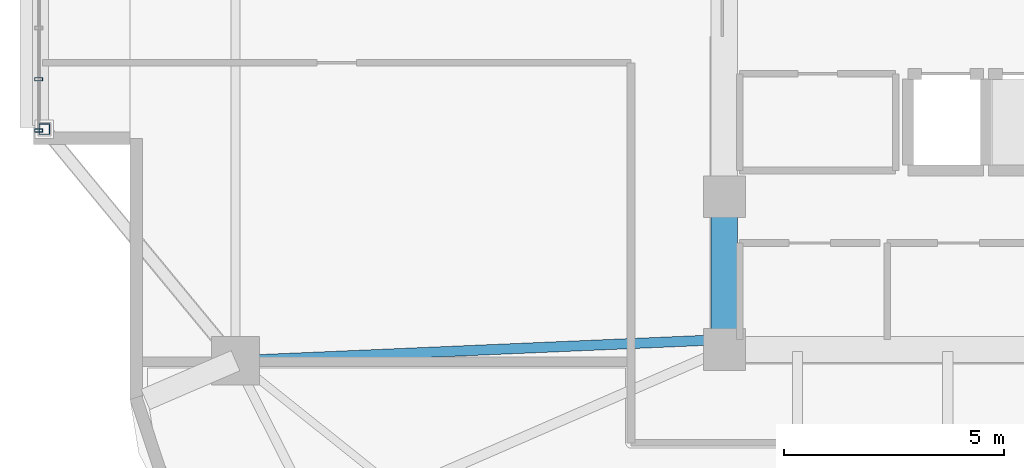
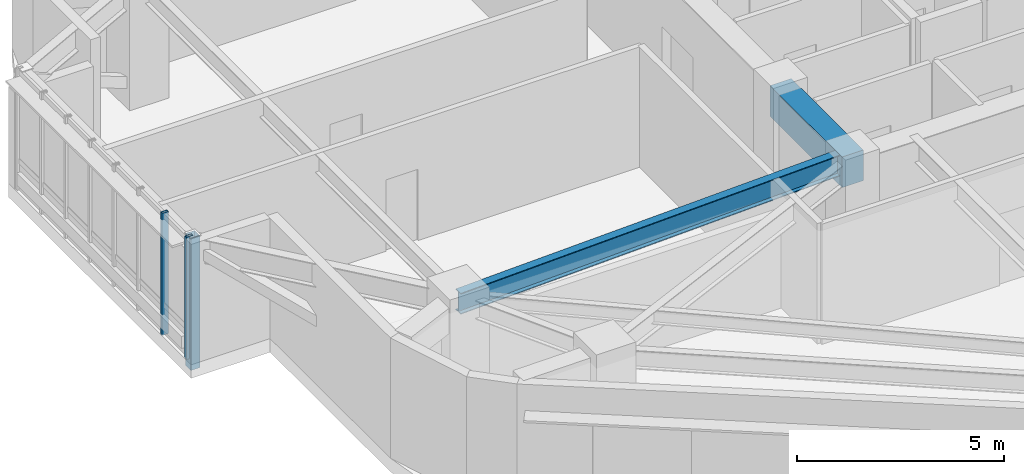
# One storey, part 2 of 16: 3 members, 2 beams, 1 element without a shape of its own.
"""IFC4 building model written with IfcOpenShell, lengths in metres."""

from ifc_helpers import new_model, si_unit, direction, frame, origin, origin_2d, place, context, subcontext, project, spatial, rectangle, hollow_rectangle, i_section, extrude, material, material_profile, profile_set, type_object, element, aggregate, save


model = new_model("IFC4")

# Units and contexts
model_context = context("Model", 3, precision=1e-05, world=origin(), true_north=direction((0.0, 1.0)))
body_context = subcontext(model_context, "Body", "Model", "MODEL_VIEW")
ifc_project = project(units=[si_unit("LENGTHUNIT", "METRE"), si_unit("AREAUNIT", "SQUARE_METRE"), si_unit("VOLUMEUNIT", "CUBIC_METRE"), si_unit("PLANEANGLEUNIT", "RADIAN"), si_unit("MASSUNIT", "GRAM", prefix="KILO")], contexts=[model_context])

# Site, building, storey
site_placement = place(None, origin())
site = spatial("IfcSite", under=ifc_project, at=site_placement, CompositionType="ELEMENT")
building_placement = place(site_placement, origin())
building = spatial("IfcBuilding", under=site, at=building_placement, Name="Zulverin Broadcast Headquarters", CompositionType="ELEMENT")
storey_placement = place(building_placement, frame((0.0, 0.0, 125.0)))
storey = spatial("IfcBuildingStorey", under=building, at=storey_placement, Name="L31", CompositionType="ELEMENT", Elevation=125.0)

# Beams
ifc_material_1 = material(Name="Concrete C60/75", Category="concrete")
ifc_material_profile_1 = material_profile(ifc_material_1, rectangle(XDim=0.60009765625, YDim=0.89990234375, at=origin_2d()), Name="Concrete C60/75", Category="concrete")
ifc_profile_set_1 = profile_set([ifc_material_profile_1], Name="Concrete C60/75")
beam_type_1 = type_object("IfcBeamType", Name="BM-CB-600x900", PredefinedType="LINTEL", material=ifc_profile_set_1)
beam_1_placement = place(storey_placement, frame((25.72509765625, 20.800048828125, 3.090087890625), z_axis=(0.0, -1.0, 0.0), x_axis=(1.0, 0.0, 0.0)))
element("IfcBeam", 1, at=beam_1_placement, inside=storey, type_object=beam_type_1, Name="L31 Core Coupling Girder K08-K01", PredefinedType="LINTEL", context=body_context, shape_type="SweptSolid", body=[
    extrude(rectangle(XDim=0.60009765625, YDim=0.89990234375, at=origin_2d()), origin(), (0.0, 0.0, 1.0), 3.47509765625),
])
ifc_material_2 = material(Name="Structural steel S355JR", Category="steel")
ifc_material_profile_2 = material_profile(ifc_material_2, i_section(OverallWidth=0.230224609375, OverallDepth=0.6171875, WebThickness=0.01318359375, FlangeThickness=0.022216796875, at=origin_2d()), Name="Structural steel S355JR", Category="steel")
ifc_profile_set_2 = profile_set([ifc_material_profile_2], Name="Structural steel S355JR")
beam_type_2 = type_object("IfcBeamType", Name="BM-UB-610", PredefinedType="BEAM", material=ifc_profile_set_2)
beam_2_placement = place(storey_placement, frame((25.675048828125, 17.550048828125, 3.2314453125), z_axis=(-0.999069780306, -0.043122779134, 0.0), x_axis=(0.043122779134, -0.999069780306, 0.0)))
element("IfcBeam", 2, at=beam_2_placement, inside=storey, type_object=beam_type_2, Name="L31 Radial Primary Floor Beam RB-14", PredefinedType="BEAM", context=body_context, shape_type="SweptSolid", body=[
    extrude(i_section(OverallWidth=0.230224609375, OverallDepth=0.6171875, WebThickness=0.01318359375, FlangeThickness=0.022216796875, at=origin_2d()), origin(), (0.0, 0.0, 1.0), 11.085205078125),
])

# Curtain wall, members
ifc_material_3 = material(Name="Acoustic triple-glazed studio box curtain wall", Category="aluminium")
curtain_wall_type = type_object("IfcCurtainWallType", Name="CW-SBOX", PredefinedType="USERDEFINED", material=ifc_material_3)
curtain_wall_placement = place(storey_placement, origin())
curtain_wall = element("IfcCurtainWall", 3, at=curtain_wall_placement, inside=storey, type_object=curtain_wall_type, Name="L31 Unitised Curtain Wall CW-L31-SBOX_SKY1_W-F", ObjectType="UNITISED CURTAIN WALL", PredefinedType="USERDEFINED")
ifc_material_4 = material(Name="Anodized pale-metal aluminium alloy 6063-T6", Category="aluminium")
ifc_material_profile_3 = material_profile(ifc_material_4, hollow_rectangle(XDim=0.074951171875, YDim=0.179931640625, WallThickness=0.0048828125, at=origin_2d()), Name="Anodized pale-metal aluminium alloy 6063-T6", Category="aluminium")
ifc_profile_set_3 = profile_set([ifc_material_profile_3], Name="Anodized pale-metal aluminium alloy 6063-T6")
member_type_1 = type_object("IfcMemberType", Name="CW-MUL-180", PredefinedType="MULLION", material=ifc_profile_set_3)
member_1_placement = place(storey_placement, frame((10.1201171875, 23.4755859375, -0.030029296875), z_axis=(0.0, 0.0, 1.0), x_axis=(0.0, -1.0, 0.0)))
member_1 = element("IfcMember", 4, at=member_1_placement, type_object=member_type_1, Name="CW-L31-SBOX_SKY1_W-F Mullion 06", PredefinedType="MULLION", context=body_context, shape_type="SweptSolid", body=[
    extrude(hollow_rectangle(XDim=0.074951171875, YDim=0.179931640625, WallThickness=0.0048828125, at=origin_2d()), origin(), (0.0, 0.0, 1.0), 3.60009765625),
])
member_2_placement = place(storey_placement, frame((10.1201171875, 22.31005859375, -0.030029296875), z_axis=(0.0, 0.0, 1.0), x_axis=(0.0, -1.0, 0.0)))
member_2 = element("IfcMember", 5, at=member_2_placement, type_object=member_type_1, Name="CW-L31-SBOX_SKY1_W-F Mullion 07", PredefinedType="MULLION", context=body_context, shape_type="SweptSolid", body=[
    extrude(hollow_rectangle(XDim=0.074951171875, YDim=0.179931640625, WallThickness=0.0048828125, at=origin_2d()), origin(), (0.0, 0.0, 1.0), 3.60009765625),
])
aggregate(curtain_wall, [member_1, member_2])

# Member
ifc_material_profile_4 = material_profile(ifc_material_2, hollow_rectangle(XDim=0.25, YDim=0.25, WallThickness=0.01611328125, at=origin_2d()), Name="Structural steel S355JR", Category="steel")
ifc_profile_set_4 = profile_set([ifc_material_profile_4], Name="Structural steel S355JR")
member_type_2 = type_object("IfcMemberType", Name="MBR-BLT-POST", PredefinedType="POST", material=ifc_profile_set_4)
member_3_placement = place(storey_placement, frame((10.25, 22.340087890625, -0.35009765625), z_axis=(0.0, 0.0, 1.0), x_axis=(1.0, 0.0, 0.0)))
element("IfcMember", 6, at=member_3_placement, inside=storey, type_object=member_type_2, Name="L31 Shifted Studio Box Frame Post SBOX_SKY1_W-1", PredefinedType="POST", context=body_context, shape_type="SweptSolid", body=[
    extrude(hollow_rectangle(XDim=0.25, YDim=0.25, WallThickness=0.01611328125, at=origin_2d()), origin(), (0.0, 0.0, 1.0), 3.89013671875),
])

save(model, "model.ifc")
